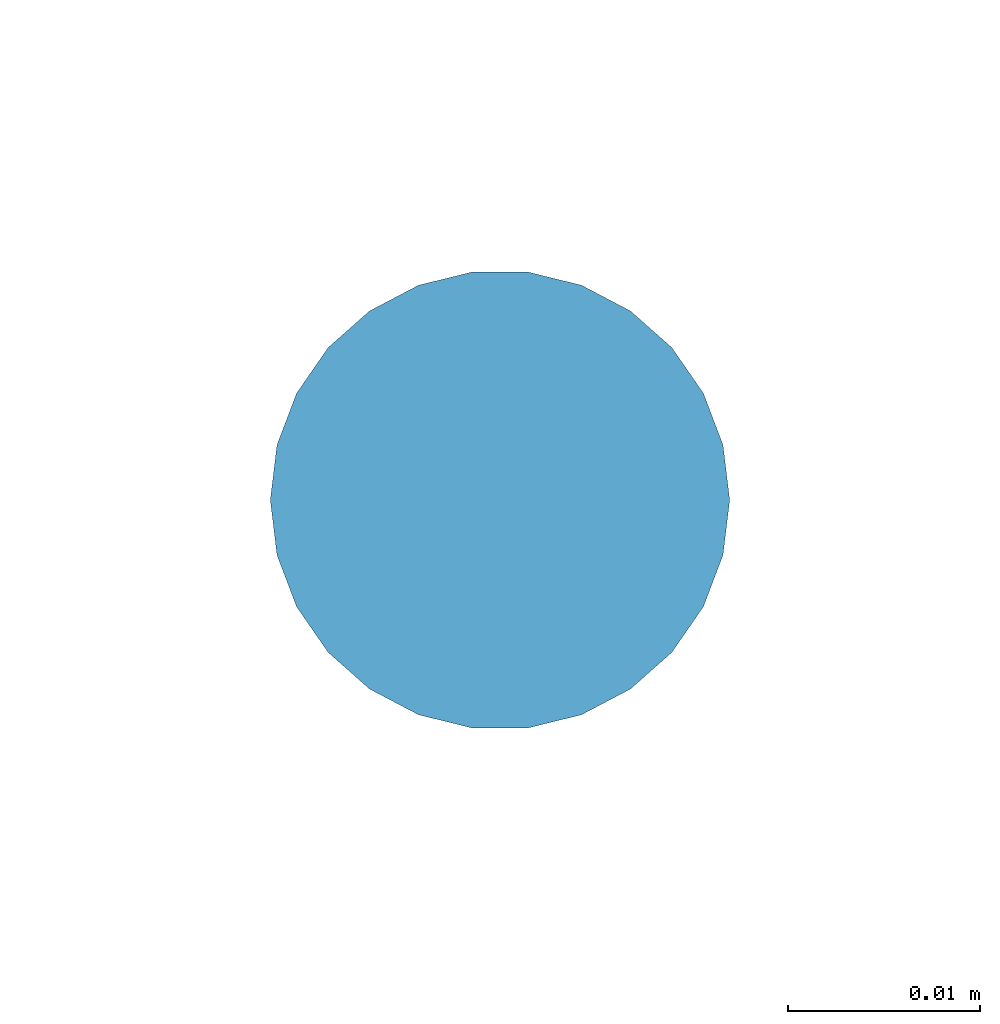
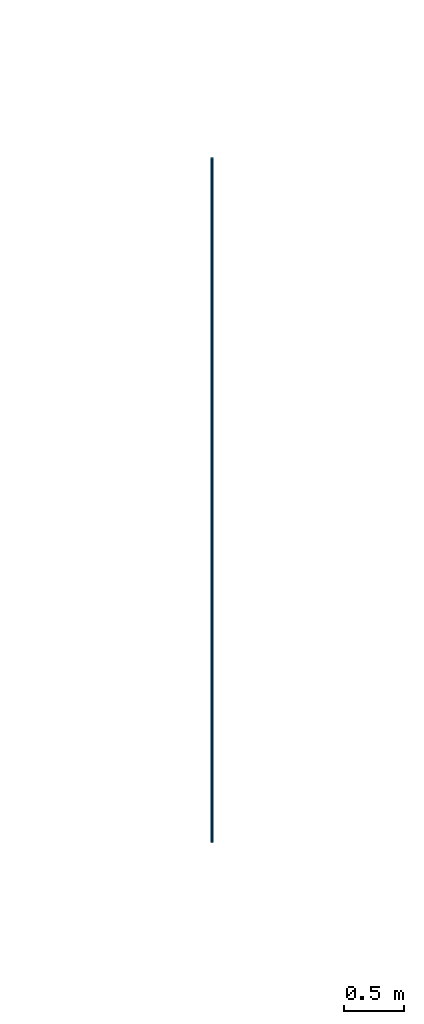
# One storey, part 14 of 62: 1 member.
"""IFC4 building model written with IfcOpenShell, lengths in metres."""

from ifc_helpers import new_model, si_unit, direction, frame, origin, origin_2d, place, context, subcontext, project, spatial, circle, extrude, material, material_profile, profile_set, type_object, element, save


model = new_model("IFC4")

# Units and contexts
model_context = context("Model", 3, precision=1e-05, world=origin(), true_north=direction((0.0, 1.0)))
body_context = subcontext(model_context, "Body", "Model", "MODEL_VIEW")
ifc_project = project(units=[si_unit("LENGTHUNIT", "METRE"), si_unit("AREAUNIT", "SQUARE_METRE"), si_unit("VOLUMEUNIT", "CUBIC_METRE"), si_unit("PLANEANGLEUNIT", "RADIAN"), si_unit("MASSUNIT", "GRAM", prefix="KILO")], contexts=[model_context])

# Site, building, storey
site_placement = place(None, origin())
site = spatial("IfcSite", under=ifc_project, at=site_placement, CompositionType="ELEMENT")
building_placement = place(site_placement, origin())
building = spatial("IfcBuilding", under=site, at=building_placement, Name="Hortulan Conservatory and Botanical Research Centre", CompositionType="ELEMENT")
storey_placement = place(building_placement, frame((0.0, 0.0, 15.0)))
storey = spatial("IfcBuildingStorey", under=building, at=storey_placement, Name="L03", CompositionType="ELEMENT", Elevation=15.0)

# Member
ifc_material = material(Name="Steel Grade 300PLUS (AS/NZS 3679.1, 280 MPa minimum yield)", Category="steel")
ifc_material_profile = material_profile(ifc_material, circle(Radius=0.011962890625, at=origin_2d()), Name="24 dia rod")
ifc_profile_set = profile_set([ifc_material_profile], Name="Steel Grade 300PLUS (AS/NZS 3679.1, 280 MPa minimum yield)")
member_type = type_object("IfcMemberType", Name="Vault Hanger 24 dia rod", PredefinedType="POST", material=ifc_profile_set)
member_placement = place(storey_placement, frame((99.0, 36.0, -1.0), z_axis=(0.0, 0.0, 1.0), x_axis=(1.0, 0.0, 0.0)))
element("IfcMember", 1, at=member_placement, inside=storey, type_object=member_type, Name="Vault hanger 1", PredefinedType="POST", context=body_context, shape_type="SweptSolid", body=[
    extrude(circle(Radius=0.011962890625, at=origin_2d()), origin(), (0.0, 0.0, 1.0), 7.0),
])

save(model, "model.ifc")
